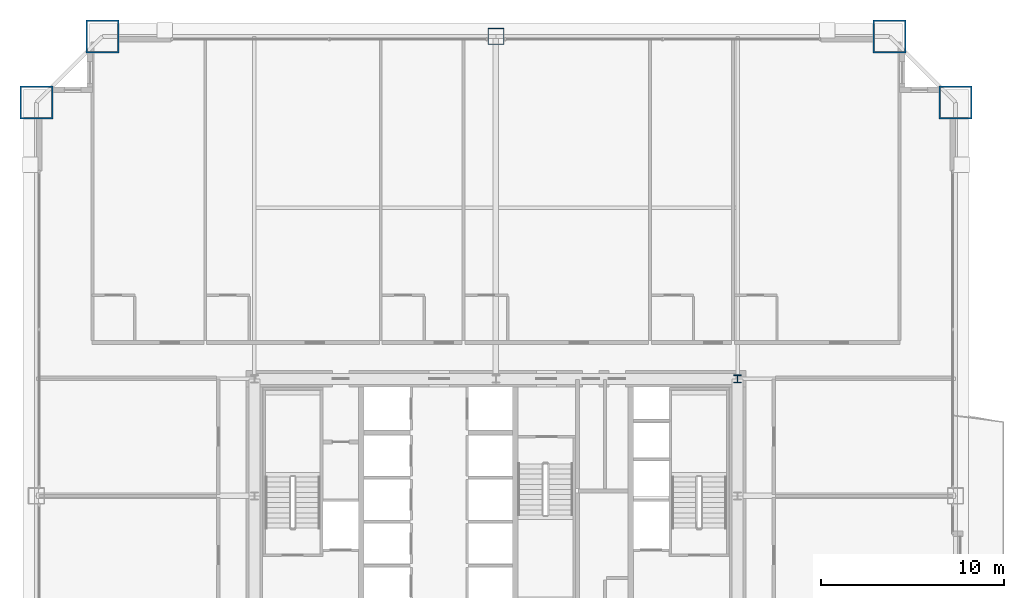
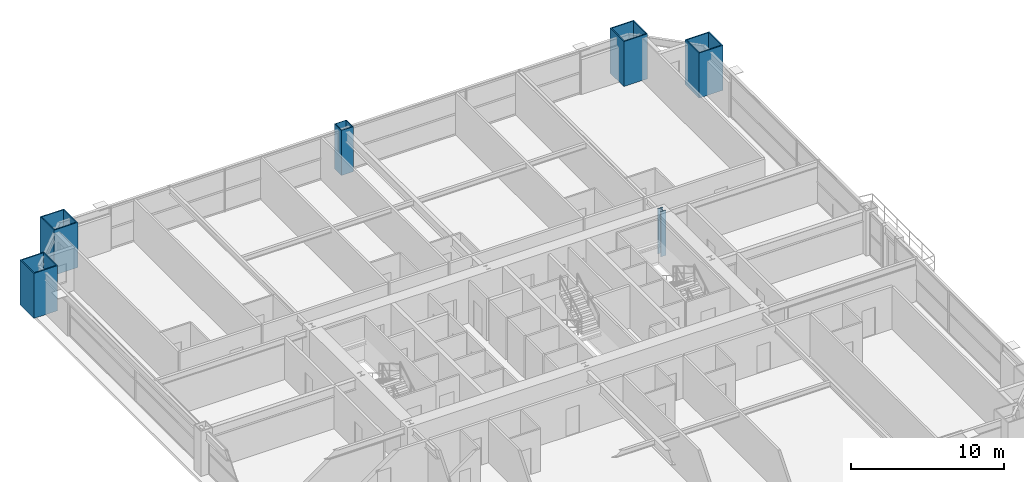
# One storey, part 2 of 43: 6 columns.
"""IFC4 building model written with IfcOpenShell, lengths in metres."""

from ifc_helpers import new_model, si_unit, direction, frame, origin, origin_2d, place, context, subcontext, project, spatial, hollow_rectangle, i_section, extrude, source, transform, mapped, material, material_profile, profile_set, type_object, element, save


model = new_model("IFC4")

# Units and contexts
model_context = context("Model", 3, precision=1e-05, world=origin(), true_north=direction((0.0, 1.0)))
body_context = subcontext(model_context, "Body", "Model", "MODEL_VIEW")
ifc_project = project(units=[si_unit("LENGTHUNIT", "METRE"), si_unit("AREAUNIT", "SQUARE_METRE"), si_unit("VOLUMEUNIT", "CUBIC_METRE"), si_unit("PLANEANGLEUNIT", "RADIAN"), si_unit("MASSUNIT", "GRAM", prefix="KILO"), si_unit("THERMODYNAMICTEMPERATUREUNIT", "KELVIN"), si_unit("POWERUNIT", "WATT")], contexts=[model_context])

# Site, building, storey
site_placement = place(None, origin())
site = spatial("IfcSite", under=ifc_project, at=site_placement, CompositionType="ELEMENT")
building_placement = place(site_placement, origin())
building = spatial("IfcBuilding", under=site, at=building_placement, Name="Yuzanri Waterfront Tower", CompositionType="ELEMENT")
storey_placement = place(building_placement, frame((0.0, 0.0, 71.199951171875)))
storey = spatial("IfcBuildingStorey", under=building, at=storey_placement, Name="L18", CompositionType="ELEMENT", Elevation=71.199951171875)

# Columns
ifc_material_1 = material(Name="Steel Q355B", Category="steel")
ifc_material_profile_1 = material_profile(ifc_material_1, i_section(OverallWidth=0.406982421875, OverallDepth=0.427978515625, WebThickness=0.02001953125, FlangeThickness=0.034912109375, at=origin_2d()), Name="HW 428x407x20x35")
ifc_profile_set_1 = profile_set([ifc_material_profile_1], Name="Steel Q355B")
column_type_1 = type_object("IfcColumnType", Name="Core Post Q355B HW 428x407x20x35", PredefinedType="COLUMN", material=ifc_profile_set_1)
shared_shape_1 = source(origin(), body_context, "Body", "SweptSolid", [
    extrude(i_section(OverallWidth=0.406982421875, OverallDepth=0.427978515625, WebThickness=0.02001953125, FlangeThickness=0.034912109375, at=origin_2d()), origin(), (0.0, 0.0, 1.0), 3.60009765625),
])
column_1_placement = place(storey_placement, frame((50.199951171875, 32.199951171875, 0.0), z_axis=(0.0, 0.0, 1.0), x_axis=(1.0, 0.0, 0.0)))
element("IfcColumn", 1, at=column_1_placement, inside=storey, type_object=column_type_1, Name="L18 Core Boundary Column CP8", PredefinedType="COLUMN", context=body_context, shape_type="MappedRepresentation", body=[
    mapped(shared_shape_1, transform((0.0, 0.0, 0.0), scale=1.0)),
])
ifc_material_2 = material(Name="Steel Q420GJC", Category="steel")
ifc_material_profile_2 = material_profile(ifc_material_2, hollow_rectangle(XDim=1.800048828125, YDim=1.800048828125, WallThickness=0.080078125, at=origin_2d()), Name="RHS 1800x1800x80")
ifc_profile_set_2 = profile_set([ifc_material_profile_2], Name="Steel Q420GJC")
column_type_2 = type_object("IfcColumnType", Name="Mega Column Q420GJC RHS 1800x1800x80", PredefinedType="COLUMN", material=ifc_profile_set_2)
shared_shape_2 = source(origin(), body_context, "Body", "SweptSolid", [
    extrude(hollow_rectangle(XDim=1.800048828125, YDim=1.800048828125, WallThickness=0.080078125, at=origin_2d()), origin(), (0.0, 0.0, 1.0), 3.60009765625),
])
for number, where, z_axis, x_axis, name in (
    (2, (15.5, 50.89990234375, 0.0), (0.0, 0.0, 1.0), (1.0, 0.0, 0.0), "L18 Perimeter Mega Column N1"),
    (3, (58.5, 50.89990234375, 0.0), (0.0, 0.0, 1.0), (1.0, 0.0, 0.0), "L18 Perimeter Mega Column N3"),
    (4, (11.89990234375, 47.300048828125, 0.0), (0.0, 0.0, 1.0), (1.0, 0.0, 0.0), "L18 Perimeter Mega Column W3"),
    (5, (62.10009765625, 47.300048828125, 0.0), (0.0, 0.0, 1.0), (1.0, 0.0, 0.0), "L18 Perimeter Mega Column E3"),
):
    element("IfcColumn", number, at=place(storey_placement, frame(where, z_axis=z_axis, x_axis=x_axis)), inside=storey, type_object=column_type_2, Name=name, PredefinedType="COLUMN", context=body_context, shape_type="MappedRepresentation", body=[
        mapped(shared_shape_2, transform((0.0, 0.0, 0.0), scale=1.0)),
    ])
ifc_material_3 = material(Name="Steel Q390GJC", Category="steel")
ifc_material_profile_3 = material_profile(ifc_material_3, hollow_rectangle(XDim=0.89990234375, YDim=0.89990234375, WallThickness=0.0419921875, at=origin_2d()), Name="RHS 900x900x42")
ifc_profile_set_3 = profile_set([ifc_material_profile_3], Name="Steel Q390GJC")
column_type_3 = type_object("IfcColumnType", Name="Frame Column Q390GJC RHS 900x900x42", PredefinedType="COLUMN", material=ifc_profile_set_3)
shared_shape_3 = source(origin(), body_context, "Body", "SweptSolid", [
    extrude(hollow_rectangle(XDim=0.89990234375, YDim=0.89990234375, WallThickness=0.0419921875, at=origin_2d()), origin(), (0.0, 0.0, 1.0), 3.60009765625),
])
column_2_placement = place(storey_placement, frame((37.0, 50.89990234375, 0.0), z_axis=(0.0, 0.0, 1.0), x_axis=(1.0, 0.0, 0.0)))
element("IfcColumn", 6, at=column_2_placement, inside=storey, type_object=column_type_3, Name="L18 Perimeter Frame Column N2", PredefinedType="COLUMN", context=body_context, shape_type="MappedRepresentation", body=[
    mapped(shared_shape_3, transform((0.0, 0.0, 0.0), scale=1.0)),
])

save(model, "model.ifc")
